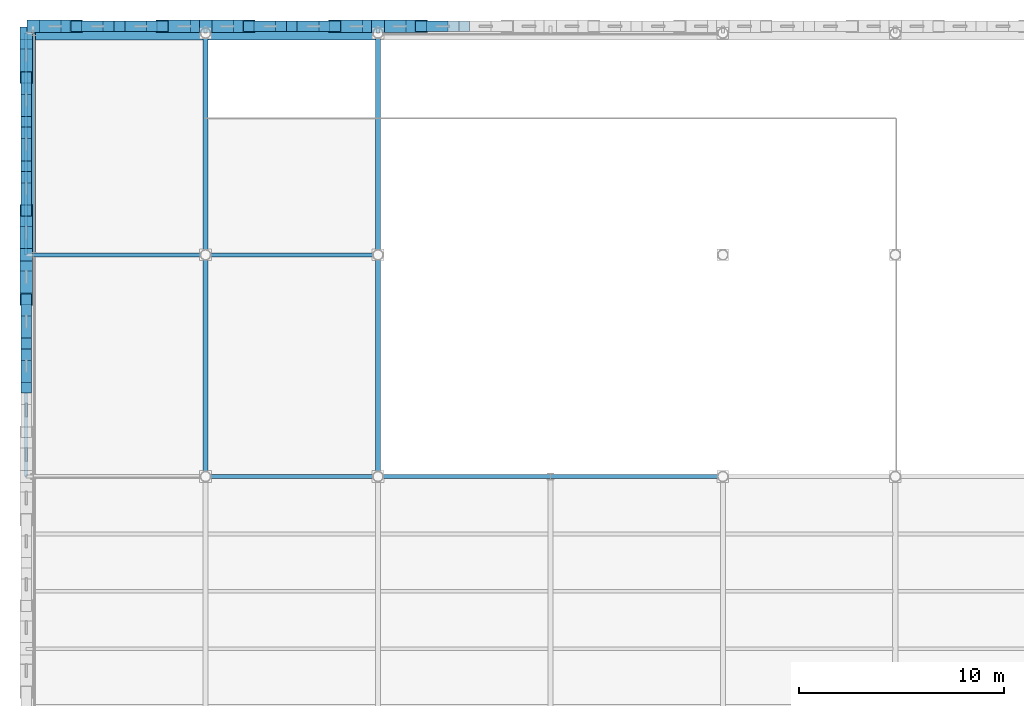
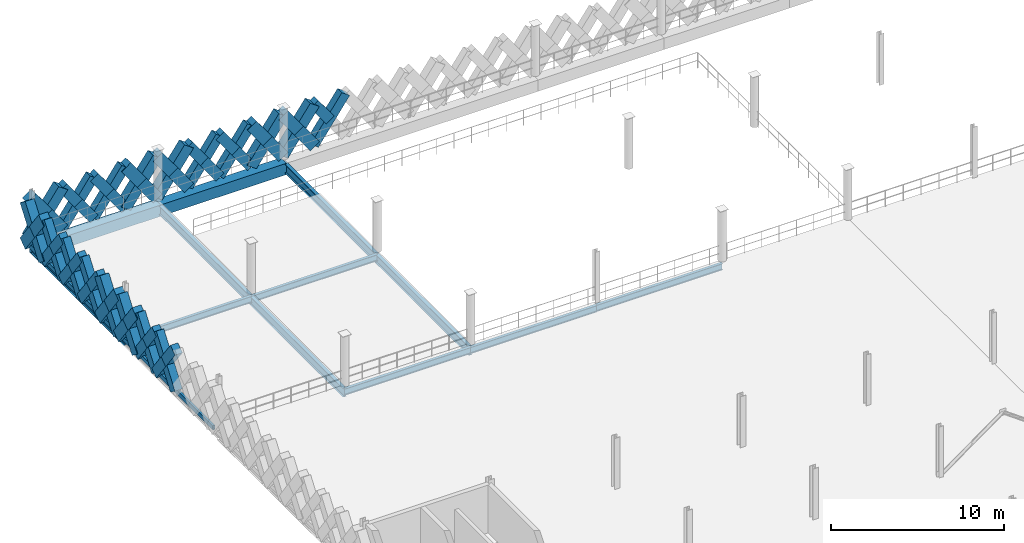
# One storey, part 23 of 47: 55 members, 12 beams.
"""IFC4 building model written with IfcOpenShell, lengths in metres."""

from ifc_helpers import new_model, si_unit, direction, frame, origin, origin_2d, place, context, subcontext, project, spatial, rectangle, hollow_rectangle, i_section, extrude, material, material_profile, profile_set, type_object, element, save


model = new_model("IFC4")

# Units and contexts
model_context = context("Model", 3, precision=1e-05, world=origin(), true_north=direction((0.0, 1.0)))
body_context = subcontext(model_context, "Body", "Model", "MODEL_VIEW")
ifc_project = project(units=[si_unit("LENGTHUNIT", "METRE"), si_unit("AREAUNIT", "SQUARE_METRE"), si_unit("VOLUMEUNIT", "CUBIC_METRE"), si_unit("PLANEANGLEUNIT", "RADIAN"), si_unit("MASSUNIT", "GRAM", prefix="KILO"), si_unit("THERMODYNAMICTEMPERATUREUNIT", "KELVIN"), si_unit("POWERUNIT", "WATT")], contexts=[model_context])

# Site, building, storey
site_placement = place(None, origin())
site = spatial("IfcSite", under=ifc_project, at=site_placement, CompositionType="ELEMENT")
building_placement = place(site_placement, origin())
building = spatial("IfcBuilding", under=site, at=building_placement, Name="Tembeka Court Mobility Hub", CompositionType="ELEMENT")
storey_placement = place(building_placement, frame((0.0, 0.0, 19.800048828125)))
storey = spatial("IfcBuildingStorey", under=building, at=storey_placement, Name="L05", CompositionType="ELEMENT", Elevation=19.800048828125)

# Beams
ifc_material_1 = material(Name="Steel S355", Category="steel")
ifc_material_profile_1 = material_profile(ifc_material_1, i_section(OverallWidth=0.18994140625, OverallDepth=0.45703125, WebThickness=0.009033203125, FlangeThickness=0.014404296875, FilletRadius=0.01025390625, at=origin_2d()), Name="UKB 457x191x74")
ifc_profile_set_1 = profile_set([ifc_material_profile_1], Name="Steel S355")
beam_type_1 = type_object("IfcBeamType", Name="BM-B01", PredefinedType="BEAM", material=ifc_profile_set_1)
beam_1_placement = place(storey_placement, frame((8.39990234375, 97.199951171875, -0.478515625), z_axis=(1.0, 0.0, 0.0), x_axis=(0.0, 1.0, 0.0)))
element("IfcBeam", 1, at=beam_1_placement, inside=storey, type_object=beam_type_1, Name="Beam B01 (BM-L05-X2754)", PredefinedType="BEAM", context=body_context, shape_type="SweptSolid", body=[
    extrude(i_section(OverallWidth=0.18994140625, OverallDepth=0.45703125, WebThickness=0.009033203125, FlangeThickness=0.014404296875, FilletRadius=0.01025390625, at=origin_2d()), origin(), (0.0, 0.0, 1.0), 8.400146484375),
])
beam_2_placement = place(storey_placement, frame((16.800048828125, 97.199951171875, -0.478515625), z_axis=(1.0, 0.0, 0.0), x_axis=(0.0, 1.0, 0.0)))
element("IfcBeam", 2, at=beam_2_placement, inside=storey, type_object=beam_type_1, Name="Beam B01 (BM-L05-X2755)", PredefinedType="BEAM", context=body_context, shape_type="SweptSolid", body=[
    extrude(i_section(OverallWidth=0.18994140625, OverallDepth=0.45703125, WebThickness=0.009033203125, FlangeThickness=0.014404296875, FilletRadius=0.01025390625, at=origin_2d()), origin(), (0.0, 0.0, 1.0), 8.39990234375),
])
beam_3_placement = place(storey_placement, frame((25.199951171875, 97.199951171875, -0.448486328125), z_axis=(1.0, 0.0, 0.0), x_axis=(0.0, 1.0, 0.0)))
element("IfcBeam", 3, at=beam_3_placement, inside=storey, type_object=beam_type_1, Name="Beam B01 (BM-L05-X2756)", PredefinedType="BEAM", context=body_context, shape_type="SweptSolid", body=[
    extrude(i_section(OverallWidth=0.18994140625, OverallDepth=0.45703125, WebThickness=0.009033203125, FlangeThickness=0.014404296875, FilletRadius=0.01025390625, at=origin_2d()), origin(), (0.0, 0.0, 1.0), 8.400146484375),
])
beam_4_placement = place(storey_placement, frame((0.0, 108.0, -0.478515625), z_axis=(1.0, 0.0, 0.0), x_axis=(0.0, 1.0, 0.0)))
element("IfcBeam", 4, at=beam_4_placement, inside=storey, type_object=beam_type_1, Name="Beam B01 (BM-L05-X2764)", PredefinedType="BEAM", context=body_context, shape_type="SweptSolid", body=[
    extrude(i_section(OverallWidth=0.18994140625, OverallDepth=0.45703125, WebThickness=0.009033203125, FlangeThickness=0.014404296875, FilletRadius=0.01025390625, at=origin_2d()), origin(), (0.0, 0.0, 1.0), 8.39990234375),
])
beam_5_placement = place(storey_placement, frame((8.39990234375, 108.0, -0.478515625), z_axis=(1.0, 0.0, 0.0), x_axis=(0.0, 1.0, 0.0)))
element("IfcBeam", 5, at=beam_5_placement, inside=storey, type_object=beam_type_1, Name="Beam B01 (BM-L05-X2765)", PredefinedType="BEAM", context=body_context, shape_type="SweptSolid", body=[
    extrude(i_section(OverallWidth=0.18994140625, OverallDepth=0.45703125, WebThickness=0.009033203125, FlangeThickness=0.014404296875, FilletRadius=0.01025390625, at=origin_2d()), origin(), (0.0, 0.0, 1.0), 8.400146484375),
])
ifc_material_profile_2 = material_profile(ifc_material_1, i_section(OverallWidth=0.22900390625, OverallDepth=0.612060546875, WebThickness=0.011962890625, FlangeThickness=0.01953125, FilletRadius=0.0126953125, at=origin_2d()), Name="UKB 610x229x125")
ifc_profile_set_2 = profile_set([ifc_material_profile_2], Name="Steel S355")
beam_type_2 = type_object("IfcBeamType", Name="BM-G02", PredefinedType="USERDEFINED", material=ifc_profile_set_2)
for number, where, z_axis, x_axis, name in (
    (6, (0.0, 108.0, -0.526123046875), (0.0, 1.0, 0.0), (-1.0, 0.0, 0.0), "Beam G02 (BM-L05-Y2786)"),
    (7, (8.39990234375, 97.199951171875, -0.55615234375), (0.0, 1.0, 0.0), (-1.0, 0.0, 0.0), "Beam G02 (BM-L05-Y2796)"),
    (8, (8.39990234375, 108.0, -0.55615234375), (0.0, 1.0, 0.0), (-1.0, 0.0, 0.0), "Beam G02 (BM-L05-Y2797)"),
    (9, (16.800048828125, 97.199951171875, -0.55615234375), (0.0, 1.0, 0.0), (-1.0, 0.0, 0.0), "Beam G02 (BM-L05-Y2807)"),
    (10, (16.800048828125, 108.0, -0.55615234375), (0.0, 1.0, 0.0), (-1.0, 0.0, 0.0), "Beam G02 (BM-L05-Y2808)"),
):
    element("IfcBeam", number, at=place(storey_placement, frame(where, z_axis=z_axis, x_axis=x_axis)), inside=storey, type_object=beam_type_2, Name=name, ObjectType="GIRDER", PredefinedType="USERDEFINED", context=body_context, shape_type="SweptSolid", body=[
        extrude(i_section(OverallWidth=0.22900390625, OverallDepth=0.612060546875, WebThickness=0.011962890625, FlangeThickness=0.01953125, FilletRadius=0.0126953125, at=origin_2d()), origin(), (0.0, 0.0, 1.0), 10.800048828125),
    ])
ifc_material_2 = material(Name="Precast concrete C45/55", Category="concrete")
ifc_material_profile_3 = material_profile(ifc_material_2, rectangle(XDim=0.64990234375, YDim=0.800048828125, at=origin_2d()), Name="PC-SP 650x800")
ifc_profile_set_3 = profile_set([ifc_material_profile_3], Name="Precast concrete C45/55")
beam_type_3 = type_object("IfcBeamType", Name="BM-SP01", PredefinedType="SPANDREL", material=ifc_profile_set_3)
beam_6_placement = place(storey_placement, frame((0.0, 118.800048828125, -0.6201171875), z_axis=(1.0, 0.0, 0.0), x_axis=(0.0, 1.0, 0.0)))
element("IfcBeam", 11, at=beam_6_placement, inside=storey, type_object=beam_type_3, Name="Beam SP01 (BM-L05-X2766)", PredefinedType="SPANDREL", context=body_context, shape_type="SweptSolid", body=[
    extrude(rectangle(XDim=0.64990234375, YDim=0.800048828125, at=origin_2d()), origin(), (0.0, 0.0, 1.0), 8.39990234375),
])
beam_7_placement = place(storey_placement, frame((8.39990234375, 118.800048828125, -0.6201171875), z_axis=(1.0, 0.0, 0.0), x_axis=(0.0, 1.0, 0.0)))
element("IfcBeam", 12, at=beam_7_placement, inside=storey, type_object=beam_type_3, Name="Beam SP01 (BM-L05-X2767)", PredefinedType="SPANDREL", context=body_context, shape_type="SweptSolid", body=[
    extrude(rectangle(XDim=0.64990234375, YDim=0.800048828125, at=origin_2d()), origin(), (0.0, 0.0, 1.0), 8.400146484375),
])

# Members
ifc_material_profile_4 = material_profile(ifc_material_2, rectangle(XDim=0.5, YDim=0.64990234375, at=origin_2d()), Name="PC-DIAG 500x650")
ifc_profile_set_4 = profile_set([ifc_material_profile_4], Name="Precast concrete C45/55")
member_type_1 = type_object("IfcMemberType", Name="MEM-DL01", PredefinedType="BRACE", material=ifc_profile_set_4)
member_1_placement = place(storey_placement, frame((2.10009765625, 119.139892578125, 0.02001953125), z_axis=(0.58253161945, 0.0, 0.812808041509), x_axis=(0.0, 1.0, 0.0)))
element("IfcMember", 13, at=member_1_placement, inside=storey, type_object=member_type_1, Name="Precast diamond lattice continuous strand DL01 (L05-834A)", PredefinedType="BRACE", context=body_context, shape_type="SweptSolid", body=[
    extrude(rectangle(XDim=0.5, YDim=0.64990234375, at=origin_2d()), origin(), (0.0, 0.0, 1.0), 3.604736328125),
])
member_2_placement = place(storey_placement, frame((4.199951171875, 119.139892578125, 0.02001953125), z_axis=(-0.582608431711, 0.0, 0.812752985414), x_axis=(0.0, -1.0, 0.0)))
element("IfcMember", 14, at=member_2_placement, inside=storey, type_object=member_type_1, Name="Precast diamond lattice split lower strand DL01 (L05-834B1)", PredefinedType="BRACE", context=body_context, shape_type="SweptSolid", body=[
    extrude(rectangle(XDim=0.5, YDim=0.64990234375, at=origin_2d()), origin(), (0.0, 0.0, 1.0), 1.80224609375),
])
member_3_placement = place(storey_placement, frame((3.14990234375, 119.139892578125, 1.48486328125), z_axis=(-0.582454804382, 0.0, 0.812863088627), x_axis=(0.0, -1.0, 0.0)))
element("IfcMember", 15, at=member_3_placement, inside=storey, type_object=member_type_1, Name="Precast diamond lattice split upper strand DL01 (L05-834B2)", PredefinedType="BRACE", context=body_context, shape_type="SweptSolid", body=[
    extrude(rectangle(XDim=0.5, YDim=0.64990234375, at=origin_2d()), origin(), (0.0, 0.0, 1.0), 1.802490234375),
])
member_4_placement = place(storey_placement, frame((4.199951171875, 119.139892578125, 0.02001953125), z_axis=(0.582576362011, 0.0, 0.812775973086), x_axis=(0.0, 1.0, 0.0)))
element("IfcMember", 16, at=member_4_placement, inside=storey, type_object=member_type_1, Name="Precast diamond lattice continuous strand DL01 (L05-835A)", PredefinedType="BRACE", context=body_context, shape_type="SweptSolid", body=[
    extrude(rectangle(XDim=0.5, YDim=0.64990234375, at=origin_2d()), origin(), (0.0, 0.0, 1.0), 3.604736328125),
])
member_5_placement = place(storey_placement, frame((6.300048828125, 119.139892578125, 0.02001953125), z_axis=(-0.582608431711, 0.0, 0.812752985414), x_axis=(0.0, -1.0, 0.0)))
element("IfcMember", 17, at=member_5_placement, inside=storey, type_object=member_type_1, Name="Precast diamond lattice split lower strand DL01 (L05-835B1)", PredefinedType="BRACE", context=body_context, shape_type="SweptSolid", body=[
    extrude(rectangle(XDim=0.5, YDim=0.64990234375, at=origin_2d()), origin(), (0.0, 0.0, 1.0), 1.80224609375),
])
member_6_placement = place(storey_placement, frame((5.25, 119.139892578125, 1.48486328125), z_axis=(-0.582544294934, 0.0, 0.812798956963), x_axis=(0.0, -1.0, 0.0)))
element("IfcMember", 18, at=member_6_placement, inside=storey, type_object=member_type_1, Name="Precast diamond lattice split upper strand DL01 (L05-835B2)", PredefinedType="BRACE", context=body_context, shape_type="SweptSolid", body=[
    extrude(rectangle(XDim=0.5, YDim=0.64990234375, at=origin_2d()), origin(), (0.0, 0.0, 1.0), 1.802490234375),
])
member_7_placement = place(storey_placement, frame((10.5, 119.139892578125, 0.02001953125), z_axis=(0.582576362011, 0.0, 0.812775973086), x_axis=(0.0, 1.0, 0.0)))
element("IfcMember", 19, at=member_7_placement, inside=storey, type_object=member_type_1, Name="Precast diamond lattice continuous strand DL01 (L05-838A)", PredefinedType="BRACE", context=body_context, shape_type="SweptSolid", body=[
    extrude(rectangle(XDim=0.5, YDim=0.64990234375, at=origin_2d()), origin(), (0.0, 0.0, 1.0), 3.604736328125),
])
member_8_placement = place(storey_placement, frame((12.60009765625, 119.139892578125, 0.02001953125), z_axis=(-0.582608431711, 0.0, 0.812752985414), x_axis=(0.0, -1.0, 0.0)))
element("IfcMember", 20, at=member_8_placement, inside=storey, type_object=member_type_1, Name="Precast diamond lattice split lower strand DL01 (L05-838B1)", PredefinedType="BRACE", context=body_context, shape_type="SweptSolid", body=[
    extrude(rectangle(XDim=0.5, YDim=0.64990234375, at=origin_2d()), origin(), (0.0, 0.0, 1.0), 1.80224609375),
])
member_9_placement = place(storey_placement, frame((11.550048828125, 119.139892578125, 1.48486328125), z_axis=(-0.582544294934, 0.0, 0.812798956963), x_axis=(0.0, -1.0, 0.0)))
element("IfcMember", 21, at=member_9_placement, inside=storey, type_object=member_type_1, Name="Precast diamond lattice split upper strand DL01 (L05-838B2)", PredefinedType="BRACE", context=body_context, shape_type="SweptSolid", body=[
    extrude(rectangle(XDim=0.5, YDim=0.64990234375, at=origin_2d()), origin(), (0.0, 0.0, 1.0), 1.802490234375),
])
member_10_placement = place(storey_placement, frame((12.60009765625, 119.139892578125, 0.02001953125), z_axis=(0.58253161945, 0.0, 0.812808041509), x_axis=(0.0, 1.0, 0.0)))
element("IfcMember", 22, at=member_10_placement, inside=storey, type_object=member_type_1, Name="Precast diamond lattice continuous strand DL01 (L05-839A)", PredefinedType="BRACE", context=body_context, shape_type="SweptSolid", body=[
    extrude(rectangle(XDim=0.5, YDim=0.64990234375, at=origin_2d()), origin(), (0.0, 0.0, 1.0), 3.604736328125),
])
member_11_placement = place(storey_placement, frame((14.699951171875, 119.139892578125, 0.02001953125), z_axis=(-0.582608431711, 0.0, 0.812752985414), x_axis=(0.0, -1.0, 0.0)))
element("IfcMember", 23, at=member_11_placement, inside=storey, type_object=member_type_1, Name="Precast diamond lattice split lower strand DL01 (L05-839B1)", PredefinedType="BRACE", context=body_context, shape_type="SweptSolid", body=[
    extrude(rectangle(XDim=0.5, YDim=0.64990234375, at=origin_2d()), origin(), (0.0, 0.0, 1.0), 1.80224609375),
])
member_12_placement = place(storey_placement, frame((13.64990234375, 119.139892578125, 1.48486328125), z_axis=(-0.582454804382, 0.0, 0.812863088627), x_axis=(0.0, -1.0, 0.0)))
element("IfcMember", 24, at=member_12_placement, inside=storey, type_object=member_type_1, Name="Precast diamond lattice split upper strand DL01 (L05-839B2)", PredefinedType="BRACE", context=body_context, shape_type="SweptSolid", body=[
    extrude(rectangle(XDim=0.5, YDim=0.64990234375, at=origin_2d()), origin(), (0.0, 0.0, 1.0), 1.802490234375),
])
member_13_placement = place(storey_placement, frame((18.89990234375, 119.139892578125, 0.02001953125), z_axis=(0.582576362011, 0.0, 0.812775973086), x_axis=(0.0, 1.0, 0.0)))
element("IfcMember", 25, at=member_13_placement, inside=storey, type_object=member_type_1, Name="Precast diamond lattice continuous strand DL01 (L05-842A)", PredefinedType="BRACE", context=body_context, shape_type="SweptSolid", body=[
    extrude(rectangle(XDim=0.5, YDim=0.64990234375, at=origin_2d()), origin(), (0.0, 0.0, 1.0), 3.604736328125),
])
member_14_placement = place(storey_placement, frame((19.949951171875, 119.139892578125, 1.48486328125), z_axis=(-0.582544294934, 0.0, 0.812798956963), x_axis=(0.0, -1.0, 0.0)))
element("IfcMember", 26, at=member_14_placement, inside=storey, type_object=member_type_1, Name="Precast diamond lattice split upper strand DL01 (L05-842B2)", PredefinedType="BRACE", context=body_context, shape_type="SweptSolid", body=[
    extrude(rectangle(XDim=0.5, YDim=0.64990234375, at=origin_2d()), origin(), (0.0, 0.0, 1.0), 1.802490234375),
])
member_15_placement = place(storey_placement, frame((-0.340087890625, 101.52001953125, 0.02001953125), z_axis=(0.0, 0.593379766398, 0.804922637792), x_axis=(-1.0, 0.0, 0.0)))
element("IfcMember", 27, at=member_15_placement, inside=storey, type_object=member_type_1, Name="Precast diamond lattice continuous strand DL01 (L05-925C)", PredefinedType="BRACE", context=body_context, shape_type="SweptSolid", body=[
    extrude(rectangle(XDim=0.5, YDim=0.64990234375, at=origin_2d()), origin(), (0.0, 0.0, 1.0), 3.64013671875),
])
member_16_placement = place(storey_placement, frame((-0.340087890625, 103.679931640625, 0.02001953125), z_axis=(0.0, -0.593368344659, 0.804931057642), x_axis=(1.0, 0.0, 0.0)))
element("IfcMember", 28, at=member_16_placement, inside=storey, type_object=member_type_1, Name="Precast diamond lattice split lower strand DL01 (L05-925D1)", PredefinedType="BRACE", context=body_context, shape_type="SweptSolid", body=[
    extrude(rectangle(XDim=0.5, YDim=0.64990234375, at=origin_2d()), origin(), (0.0, 0.0, 1.0), 1.81982421875),
])
member_17_placement = place(storey_placement, frame((-0.340087890625, 102.60009765625, 1.48486328125), z_axis=(0.0, -0.593391185876, 0.804914219358), x_axis=(1.0, 0.0, 0.0)))
element("IfcMember", 29, at=member_17_placement, inside=storey, type_object=member_type_1, Name="Precast diamond lattice split upper strand DL01 (L05-925D2)", PredefinedType="BRACE", context=body_context, shape_type="SweptSolid", body=[
    extrude(rectangle(XDim=0.5, YDim=0.64990234375, at=origin_2d()), origin(), (0.0, 0.0, 1.0), 1.820068359375),
])
member_18_placement = place(storey_placement, frame((-0.340087890625, 103.679931640625, 0.02001953125), z_axis=(0.0, 0.593423219328, 0.804890602978), x_axis=(-1.0, 0.0, 0.0)))
element("IfcMember", 30, at=member_18_placement, inside=storey, type_object=member_type_1, Name="Precast diamond lattice continuous strand DL01 (L05-926C)", PredefinedType="BRACE", context=body_context, shape_type="SweptSolid", body=[
    extrude(rectangle(XDim=0.5, YDim=0.64990234375, at=origin_2d()), origin(), (0.0, 0.0, 1.0), 3.64013671875),
])
for number, where, z_axis, x_axis, name in (
    (31, (-0.340087890625, 105.840087890625, 0.02001953125), (0.0, -0.593455255298, 0.804866982773), (1.0, 0.0, 0.0), "Precast diamond lattice split lower strand DL01 (L05-926D1)"),
    (32, (-0.340087890625, 104.760009765625, 1.48486328125), (0.0, -0.593391185876, 0.804914219358), (1.0, 0.0, 0.0), "Precast diamond lattice split upper strand DL01 (L05-926D2)"),
):
    element("IfcMember", number, at=place(storey_placement, frame(where, z_axis=z_axis, x_axis=x_axis)), inside=storey, type_object=member_type_1, Name=name, PredefinedType="BRACE", context=body_context, shape_type="SweptSolid", body=[
        extrude(rectangle(XDim=0.5, YDim=0.64990234375, at=origin_2d()), origin(), (0.0, 0.0, 1.0), 1.820068359375),
    ])
member_19_placement = place(storey_placement, frame((-0.340087890625, 110.159912109375, 0.02001953125), z_axis=(0.0, 0.593423219328, 0.804890602978), x_axis=(-1.0, 0.0, 0.0)))
element("IfcMember", 33, at=member_19_placement, inside=storey, type_object=member_type_1, Name="Precast diamond lattice continuous strand DL01 (L05-929C)", PredefinedType="BRACE", context=body_context, shape_type="SweptSolid", body=[
    extrude(rectangle(XDim=0.5, YDim=0.64990234375, at=origin_2d()), origin(), (0.0, 0.0, 1.0), 3.64013671875),
])
for number, where, z_axis, x_axis, name in (
    (34, (-0.340087890625, 112.320068359375, 0.02001953125), (0.0, -0.593455255298, 0.804866982773), (1.0, 0.0, 0.0), "Precast diamond lattice split lower strand DL01 (L05-929D1)"),
    (35, (-0.340087890625, 111.239990234375, 1.48486328125), (0.0, -0.593391185876, 0.804914219358), (1.0, 0.0, 0.0), "Precast diamond lattice split upper strand DL01 (L05-929D2)"),
):
    element("IfcMember", number, at=place(storey_placement, frame(where, z_axis=z_axis, x_axis=x_axis)), inside=storey, type_object=member_type_1, Name=name, PredefinedType="BRACE", context=body_context, shape_type="SweptSolid", body=[
        extrude(rectangle(XDim=0.5, YDim=0.64990234375, at=origin_2d()), origin(), (0.0, 0.0, 1.0), 1.820068359375),
    ])
member_20_placement = place(storey_placement, frame((-0.340087890625, 112.320068359375, 0.02001953125), z_axis=(0.0, 0.593379766398, 0.804922637792), x_axis=(-1.0, 0.0, 0.0)))
element("IfcMember", 36, at=member_20_placement, inside=storey, type_object=member_type_1, Name="Precast diamond lattice continuous strand DL01 (L05-930C)", PredefinedType="BRACE", context=body_context, shape_type="SweptSolid", body=[
    extrude(rectangle(XDim=0.5, YDim=0.64990234375, at=origin_2d()), origin(), (0.0, 0.0, 1.0), 3.64013671875),
])
for number, where, z_axis, x_axis, name in (
    (37, (-0.340087890625, 114.47998046875, 0.02001953125), (0.0, -0.593455255298, 0.804866982773), (1.0, 0.0, 0.0), "Precast diamond lattice split lower strand DL01 (L05-930D1)"),
    (38, (-0.340087890625, 113.39990234375, 1.48486328125), (0.0, -0.593304274421, 0.804978284151), (1.0, 0.0, 0.0), "Precast diamond lattice split upper strand DL01 (L05-930D2)"),
):
    element("IfcMember", number, at=place(storey_placement, frame(where, z_axis=z_axis, x_axis=x_axis)), inside=storey, type_object=member_type_1, Name=name, PredefinedType="BRACE", context=body_context, shape_type="SweptSolid", body=[
        extrude(rectangle(XDim=0.5, YDim=0.64990234375, at=origin_2d()), origin(), (0.0, 0.0, 1.0), 1.820068359375),
    ])
member_21_placement = place(storey_placement, frame((-0.340087890625, 114.47998046875, 0.02001953125), z_axis=(0.0, 0.593379766398, 0.804922637792), x_axis=(-1.0, 0.0, 0.0)))
element("IfcMember", 39, at=member_21_placement, inside=storey, type_object=member_type_1, Name="Precast diamond lattice continuous strand DL01 (L05-931C)", PredefinedType="BRACE", context=body_context, shape_type="SweptSolid", body=[
    extrude(rectangle(XDim=0.5, YDim=0.64990234375, at=origin_2d()), origin(), (0.0, 0.0, 1.0), 3.64013671875),
])
member_22_placement = place(storey_placement, frame((-0.340087890625, 116.639892578125, 0.02001953125), z_axis=(0.0, -0.593368344659, 0.804931057642), x_axis=(1.0, 0.0, 0.0)))
element("IfcMember", 40, at=member_22_placement, inside=storey, type_object=member_type_1, Name="Precast diamond lattice split lower strand DL01 (L05-931D1)", PredefinedType="BRACE", context=body_context, shape_type="SweptSolid", body=[
    extrude(rectangle(XDim=0.5, YDim=0.64990234375, at=origin_2d()), origin(), (0.0, 0.0, 1.0), 1.81982421875),
])
member_23_placement = place(storey_placement, frame((-0.340087890625, 115.56005859375, 1.48486328125), z_axis=(0.0, -0.593391185876, 0.804914219358), x_axis=(1.0, 0.0, 0.0)))
element("IfcMember", 41, at=member_23_placement, inside=storey, type_object=member_type_1, Name="Precast diamond lattice split upper strand DL01 (L05-931D2)", PredefinedType="BRACE", context=body_context, shape_type="SweptSolid", body=[
    extrude(rectangle(XDim=0.5, YDim=0.64990234375, at=origin_2d()), origin(), (0.0, 0.0, 1.0), 1.820068359375),
])
ifc_material_profile_5 = material_profile(ifc_material_2, rectangle(XDim=0.60009765625, YDim=0.75, at=origin_2d()), Name="PC-DIAG 600x750")
ifc_profile_set_5 = profile_set([ifc_material_profile_5], Name="Precast concrete C45/55")
member_type_2 = type_object("IfcMemberType", Name="MEM-DL02", PredefinedType="BRACE", material=ifc_profile_set_5)
member_24_placement = place(storey_placement, frame((0.0, 119.139892578125, 0.02001953125), z_axis=(0.582576362011, 0.0, 0.812775973086), x_axis=(0.0, 1.0, 0.0)))
element("IfcMember", 42, at=member_24_placement, inside=storey, type_object=member_type_2, Name="Precast diamond lattice continuous strand DL02 (L05-833A)", PredefinedType="BRACE", context=body_context, shape_type="SweptSolid", body=[
    extrude(rectangle(XDim=0.60009765625, YDim=0.75, at=origin_2d()), origin(), (0.0, 0.0, 1.0), 3.604736328125),
])
member_25_placement = place(storey_placement, frame((2.10009765625, 119.139892578125, 0.02001953125), z_axis=(-0.582608431711, 0.0, 0.812752985414), x_axis=(0.0, -1.0, 0.0)))
element("IfcMember", 43, at=member_25_placement, inside=storey, type_object=member_type_2, Name="Precast diamond lattice split lower strand DL02 (L05-833B1)", PredefinedType="BRACE", context=body_context, shape_type="SweptSolid", body=[
    extrude(rectangle(XDim=0.60009765625, YDim=0.75, at=origin_2d()), origin(), (0.0, 0.0, 1.0), 1.80224609375),
])
member_26_placement = place(storey_placement, frame((1.050048828125, 119.139892578125, 1.48486328125), z_axis=(-0.582544294934, 0.0, 0.812798956963), x_axis=(0.0, -1.0, 0.0)))
element("IfcMember", 44, at=member_26_placement, inside=storey, type_object=member_type_2, Name="Precast diamond lattice split upper strand DL02 (L05-833B2)", PredefinedType="BRACE", context=body_context, shape_type="SweptSolid", body=[
    extrude(rectangle(XDim=0.60009765625, YDim=0.75, at=origin_2d()), origin(), (0.0, 0.0, 1.0), 1.802490234375),
])
member_27_placement = place(storey_placement, frame((6.300048828125, 119.139892578125, 0.02001953125), z_axis=(0.58253161945, 0.0, 0.812808041509), x_axis=(0.0, 1.0, 0.0)))
element("IfcMember", 45, at=member_27_placement, inside=storey, type_object=member_type_2, Name="Precast diamond lattice continuous strand DL02 (L05-836A)", PredefinedType="BRACE", context=body_context, shape_type="SweptSolid", body=[
    extrude(rectangle(XDim=0.60009765625, YDim=0.75, at=origin_2d()), origin(), (0.0, 0.0, 1.0), 3.604736328125),
])
member_28_placement = place(storey_placement, frame((8.39990234375, 119.139892578125, 0.02001953125), z_axis=(-0.582518941428, 0.0, 0.812817127574), x_axis=(0.0, -1.0, 0.0)))
element("IfcMember", 46, at=member_28_placement, inside=storey, type_object=member_type_2, Name="Precast diamond lattice split lower strand DL02 (L05-836B1)", PredefinedType="BRACE", context=body_context, shape_type="SweptSolid", body=[
    extrude(rectangle(XDim=0.60009765625, YDim=0.75, at=origin_2d()), origin(), (0.0, 0.0, 1.0), 1.80224609375),
])
member_29_placement = place(storey_placement, frame((7.35009765625, 119.139892578125, 1.48486328125), z_axis=(-0.582544294934, 0.0, 0.812798956963), x_axis=(0.0, -1.0, 0.0)))
element("IfcMember", 47, at=member_29_placement, inside=storey, type_object=member_type_2, Name="Precast diamond lattice split upper strand DL02 (L05-836B2)", PredefinedType="BRACE", context=body_context, shape_type="SweptSolid", body=[
    extrude(rectangle(XDim=0.60009765625, YDim=0.75, at=origin_2d()), origin(), (0.0, 0.0, 1.0), 1.802490234375),
])
member_30_placement = place(storey_placement, frame((8.39990234375, 119.139892578125, 0.02001953125), z_axis=(0.582576362011, 0.0, 0.812775973086), x_axis=(0.0, 1.0, 0.0)))
element("IfcMember", 48, at=member_30_placement, inside=storey, type_object=member_type_2, Name="Precast diamond lattice continuous strand DL02 (L05-837A)", PredefinedType="BRACE", context=body_context, shape_type="SweptSolid", body=[
    extrude(rectangle(XDim=0.60009765625, YDim=0.75, at=origin_2d()), origin(), (0.0, 0.0, 1.0), 3.604736328125),
])
member_31_placement = place(storey_placement, frame((10.5, 119.139892578125, 0.02001953125), z_axis=(-0.582608431711, 0.0, 0.812752985414), x_axis=(0.0, -1.0, 0.0)))
element("IfcMember", 49, at=member_31_placement, inside=storey, type_object=member_type_2, Name="Precast diamond lattice split lower strand DL02 (L05-837B1)", PredefinedType="BRACE", context=body_context, shape_type="SweptSolid", body=[
    extrude(rectangle(XDim=0.60009765625, YDim=0.75, at=origin_2d()), origin(), (0.0, 0.0, 1.0), 1.80224609375),
])
member_32_placement = place(storey_placement, frame((9.449951171875, 119.139892578125, 1.48486328125), z_axis=(-0.582544294934, 0.0, 0.812798956963), x_axis=(0.0, -1.0, 0.0)))
element("IfcMember", 50, at=member_32_placement, inside=storey, type_object=member_type_2, Name="Precast diamond lattice split upper strand DL02 (L05-837B2)", PredefinedType="BRACE", context=body_context, shape_type="SweptSolid", body=[
    extrude(rectangle(XDim=0.60009765625, YDim=0.75, at=origin_2d()), origin(), (0.0, 0.0, 1.0), 1.802490234375),
])
member_33_placement = place(storey_placement, frame((14.699951171875, 119.139892578125, 0.02001953125), z_axis=(0.582576362011, 0.0, 0.812775973086), x_axis=(0.0, 1.0, 0.0)))
element("IfcMember", 51, at=member_33_placement, inside=storey, type_object=member_type_2, Name="Precast diamond lattice continuous strand DL02 (L05-840A)", PredefinedType="BRACE", context=body_context, shape_type="SweptSolid", body=[
    extrude(rectangle(XDim=0.60009765625, YDim=0.75, at=origin_2d()), origin(), (0.0, 0.0, 1.0), 3.604736328125),
])
member_34_placement = place(storey_placement, frame((16.800048828125, 119.139892578125, 0.02001953125), z_axis=(-0.582608431711, 0.0, 0.812752985414), x_axis=(0.0, -1.0, 0.0)))
element("IfcMember", 52, at=member_34_placement, inside=storey, type_object=member_type_2, Name="Precast diamond lattice split lower strand DL02 (L05-840B1)", PredefinedType="BRACE", context=body_context, shape_type="SweptSolid", body=[
    extrude(rectangle(XDim=0.60009765625, YDim=0.75, at=origin_2d()), origin(), (0.0, 0.0, 1.0), 1.80224609375),
])
member_35_placement = place(storey_placement, frame((15.75, 119.139892578125, 1.48486328125), z_axis=(-0.582544294934, 0.0, 0.812798956963), x_axis=(0.0, -1.0, 0.0)))
element("IfcMember", 53, at=member_35_placement, inside=storey, type_object=member_type_2, Name="Precast diamond lattice split upper strand DL02 (L05-840B2)", PredefinedType="BRACE", context=body_context, shape_type="SweptSolid", body=[
    extrude(rectangle(XDim=0.60009765625, YDim=0.75, at=origin_2d()), origin(), (0.0, 0.0, 1.0), 1.802490234375),
])
member_36_placement = place(storey_placement, frame((16.800048828125, 119.139892578125, 0.02001953125), z_axis=(0.58253161945, 0.0, 0.812808041509), x_axis=(0.0, 1.0, 0.0)))
element("IfcMember", 54, at=member_36_placement, inside=storey, type_object=member_type_2, Name="Precast diamond lattice continuous strand DL02 (L05-841A)", PredefinedType="BRACE", context=body_context, shape_type="SweptSolid", body=[
    extrude(rectangle(XDim=0.60009765625, YDim=0.75, at=origin_2d()), origin(), (0.0, 0.0, 1.0), 3.604736328125),
])
member_37_placement = place(storey_placement, frame((18.89990234375, 119.139892578125, 0.02001953125), z_axis=(-0.582518941428, 0.0, 0.812817127574), x_axis=(0.0, -1.0, 0.0)))
element("IfcMember", 55, at=member_37_placement, inside=storey, type_object=member_type_2, Name="Precast diamond lattice split lower strand DL02 (L05-841B1)", PredefinedType="BRACE", context=body_context, shape_type="SweptSolid", body=[
    extrude(rectangle(XDim=0.60009765625, YDim=0.75, at=origin_2d()), origin(), (0.0, 0.0, 1.0), 1.80224609375),
])
member_38_placement = place(storey_placement, frame((17.85009765625, 119.139892578125, 1.48486328125), z_axis=(-0.582544294934, 0.0, 0.812798956963), x_axis=(0.0, -1.0, 0.0)))
element("IfcMember", 56, at=member_38_placement, inside=storey, type_object=member_type_2, Name="Precast diamond lattice split upper strand DL02 (L05-841B2)", PredefinedType="BRACE", context=body_context, shape_type="SweptSolid", body=[
    extrude(rectangle(XDim=0.60009765625, YDim=0.75, at=origin_2d()), origin(), (0.0, 0.0, 1.0), 1.802490234375),
])
member_39_placement = place(storey_placement, frame((-0.340087890625, 105.840087890625, 0.02001953125), z_axis=(0.0, 0.593379766398, 0.804922637792), x_axis=(-1.0, 0.0, 0.0)))
element("IfcMember", 57, at=member_39_placement, inside=storey, type_object=member_type_2, Name="Precast diamond lattice continuous strand DL02 (L05-927C)", PredefinedType="BRACE", context=body_context, shape_type="SweptSolid", body=[
    extrude(rectangle(XDim=0.60009765625, YDim=0.75, at=origin_2d()), origin(), (0.0, 0.0, 1.0), 3.64013671875),
])
for number, where, z_axis, x_axis, name in (
    (58, (-0.340087890625, 108.0, 0.02001953125), (0.0, -0.593455255298, 0.804866982773), (1.0, 0.0, 0.0), "Precast diamond lattice split lower strand DL02 (L05-927D1)"),
    (59, (-0.340087890625, 106.919921875, 1.48486328125), (0.0, -0.593304274421, 0.804978284151), (1.0, 0.0, 0.0), "Precast diamond lattice split upper strand DL02 (L05-927D2)"),
):
    element("IfcMember", number, at=place(storey_placement, frame(where, z_axis=z_axis, x_axis=x_axis)), inside=storey, type_object=member_type_2, Name=name, PredefinedType="BRACE", context=body_context, shape_type="SweptSolid", body=[
        extrude(rectangle(XDim=0.60009765625, YDim=0.75, at=origin_2d()), origin(), (0.0, 0.0, 1.0), 1.820068359375),
    ])
member_40_placement = place(storey_placement, frame((-0.340087890625, 108.0, 0.02001953125), z_axis=(0.0, 0.593379766398, 0.804922637792), x_axis=(-1.0, 0.0, 0.0)))
element("IfcMember", 60, at=member_40_placement, inside=storey, type_object=member_type_2, Name="Precast diamond lattice continuous strand DL02 (L05-928C)", PredefinedType="BRACE", context=body_context, shape_type="SweptSolid", body=[
    extrude(rectangle(XDim=0.60009765625, YDim=0.75, at=origin_2d()), origin(), (0.0, 0.0, 1.0), 3.64013671875),
])
member_41_placement = place(storey_placement, frame((-0.340087890625, 110.159912109375, 0.02001953125), z_axis=(0.0, -0.593368344659, 0.804931057642), x_axis=(1.0, 0.0, 0.0)))
element("IfcMember", 61, at=member_41_placement, inside=storey, type_object=member_type_2, Name="Precast diamond lattice split lower strand DL02 (L05-928D1)", PredefinedType="BRACE", context=body_context, shape_type="SweptSolid", body=[
    extrude(rectangle(XDim=0.60009765625, YDim=0.75, at=origin_2d()), origin(), (0.0, 0.0, 1.0), 1.81982421875),
])
member_42_placement = place(storey_placement, frame((-0.340087890625, 109.080078125, 1.48486328125), z_axis=(0.0, -0.593391185876, 0.804914219358), x_axis=(1.0, 0.0, 0.0)))
element("IfcMember", 62, at=member_42_placement, inside=storey, type_object=member_type_2, Name="Precast diamond lattice split upper strand DL02 (L05-928D2)", PredefinedType="BRACE", context=body_context, shape_type="SweptSolid", body=[
    extrude(rectangle(XDim=0.60009765625, YDim=0.75, at=origin_2d()), origin(), (0.0, 0.0, 1.0), 1.820068359375),
])
member_43_placement = place(storey_placement, frame((-0.340087890625, 116.639892578125, 0.02001953125), z_axis=(0.0, 0.593423219328, 0.804890602978), x_axis=(-1.0, 0.0, 0.0)))
element("IfcMember", 63, at=member_43_placement, inside=storey, type_object=member_type_2, Name="Precast diamond lattice continuous strand DL02 (L05-932C)", PredefinedType="BRACE", context=body_context, shape_type="SweptSolid", body=[
    extrude(rectangle(XDim=0.60009765625, YDim=0.75, at=origin_2d()), origin(), (0.0, 0.0, 1.0), 3.64013671875),
])
for number, where, z_axis, x_axis, name in (
    (64, (-0.340087890625, 118.800048828125, 0.02001953125), (0.0, -0.593455255298, 0.804866982773), (1.0, 0.0, 0.0), "Precast diamond lattice split lower strand DL02 (L05-932D1)"),
    (65, (-0.340087890625, 117.719970703125, 1.48486328125), (0.0, -0.593391185876, 0.804914219358), (1.0, 0.0, 0.0), "Precast diamond lattice split upper strand DL02 (L05-932D2)"),
):
    element("IfcMember", number, at=place(storey_placement, frame(where, z_axis=z_axis, x_axis=x_axis)), inside=storey, type_object=member_type_2, Name=name, PredefinedType="BRACE", context=body_context, shape_type="SweptSolid", body=[
        extrude(rectangle(XDim=0.60009765625, YDim=0.75, at=origin_2d()), origin(), (0.0, 0.0, 1.0), 1.820068359375),
    ])
ifc_material_profile_6 = material_profile(ifc_material_1, hollow_rectangle(XDim=0.14990234375, YDim=0.300048828125, WallThickness=0.010009765625, at=origin_2d()), Name="RHS 300x150x10")
ifc_profile_set_6 = profile_set([ifc_material_profile_6], Name="Steel S355")
member_type_3 = type_object("IfcMemberType", Name="MEM-ST03", PredefinedType="STRUT", material=ifc_profile_set_6)
for number, where, z_axis, x_axis, name in (
    (66, (-0.340087890625, 97.199951171875, 0.02001953125), (0.0, 1.0, 0.0), (-1.0, 0.0, 0.0), "Proud lattice sill tie chord SR03 (L05-W-97)"),
    (67, (-0.340087890625, 108.0, 0.02001953125), (0.0, 1.0, 0.0), (-1.0, 0.0, 0.0), "Proud lattice sill tie chord SR03 (L05-W-108)"),
):
    element("IfcMember", number, at=place(storey_placement, frame(where, z_axis=z_axis, x_axis=x_axis)), inside=storey, type_object=member_type_3, Name=name, PredefinedType="STRUT", context=body_context, shape_type="SweptSolid", body=[
        extrude(hollow_rectangle(XDim=0.14990234375, YDim=0.300048828125, WallThickness=0.010009765625, at=origin_2d()), origin(), (0.0, 0.0, 1.0), 10.800048828125),
    ])

save(model, "model.ifc")
